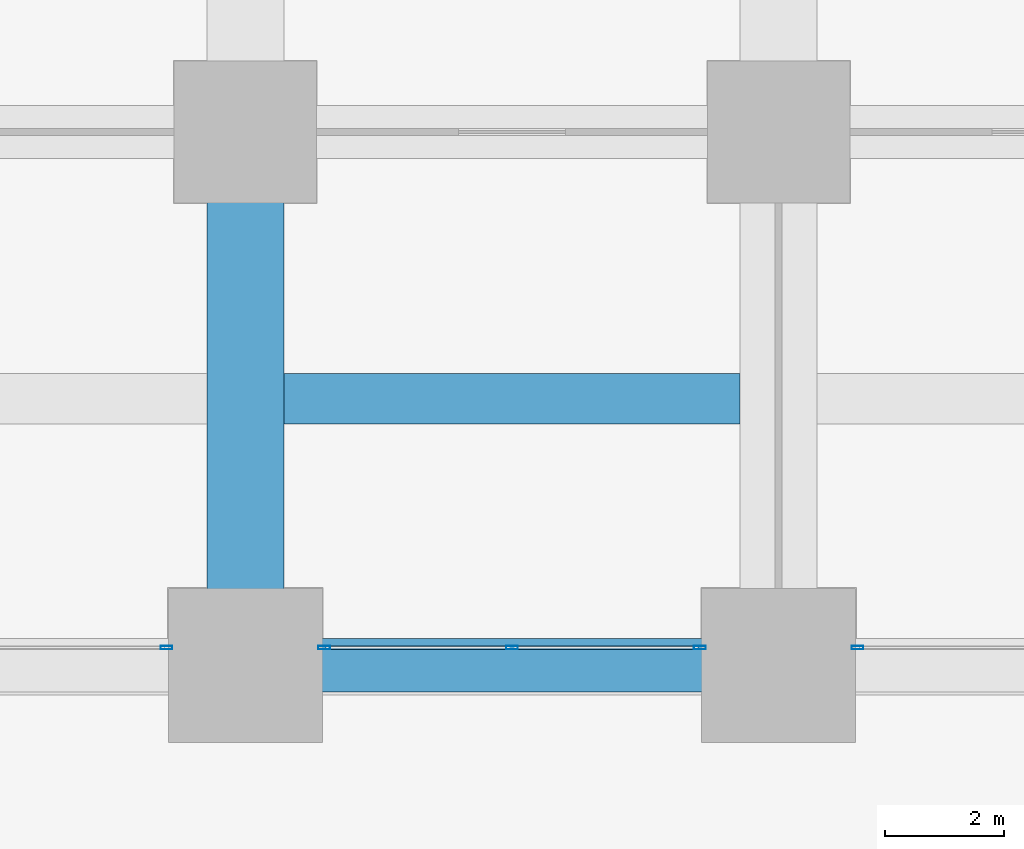
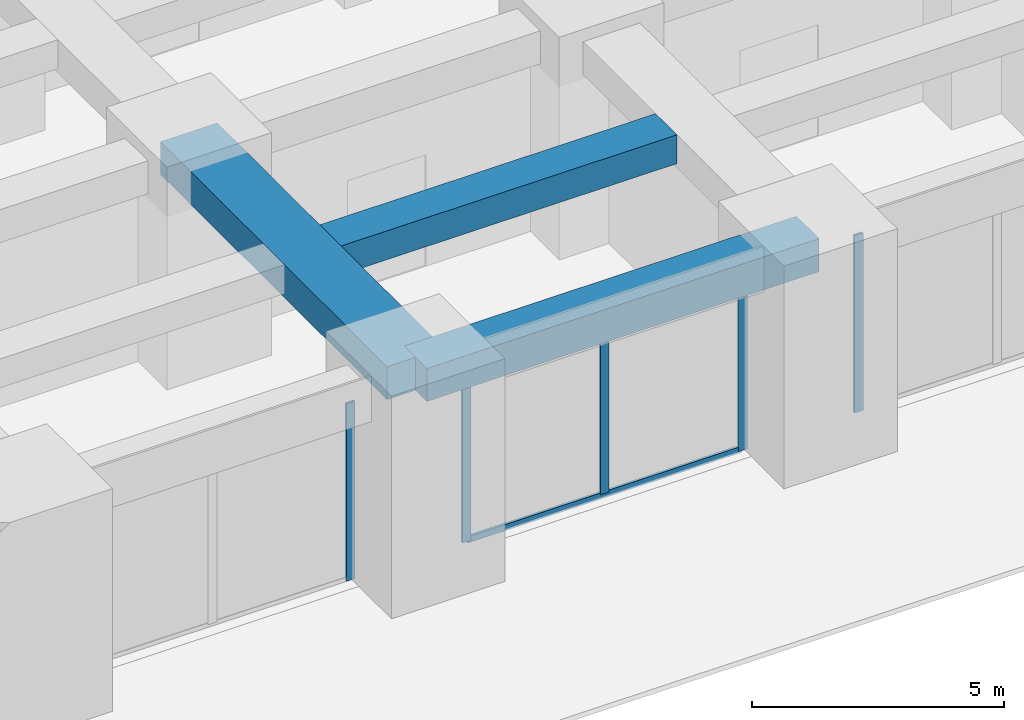
# One storey, part 6 of 56: 6 members, 3 beams, 3 elements without a shape of their own.
"""IFC4 building model written with IfcOpenShell, lengths in metres."""

import ifcopenshell
import ifcopenshell.guid

model = None  # the IFC model being written
_history = None  # IfcOwnerHistory: only IFC2X3 demands one
_inside = {}  # id of a spatial element -> (the spatial element, [elements in it])
_under = {}  # id of a project, library or spatial element -> (it, [spatial elements below it])
_declared = {}  # id of a project -> (the project, [libraries it declares])
_typed = {}  # id of a type object -> (the type object, [elements of that type])
_made_of = {}  # id of a material, layer set ... -> (it, [elements and type objects made of it])


def new_model(schema):
    """Start an empty IFC model of exactly this schema.

    Asked for "IFC4X3", IfcOpenShell would pick the latest addendum, in which some entities
    have other attributes; the version numbers below select the first issue.
    IFC2X3 requires an IfcOwnerHistory on every rooted entity: one is made here for all.
    """
    global model, _history
    if schema == "IFC4X3":
        model = ifcopenshell.file(schema_version=(4, 3, 0, 0))
    else:
        model = ifcopenshell.file(schema=schema)
    _inside.clear()
    _under.clear()
    _declared.clear()
    _typed.clear()
    _made_of.clear()
    _history = None
    if model.schema == "IFC2X3":
        org = make("IfcOrganization", Name="unknown")
        user = make(
            "IfcPersonAndOrganization",
            ThePerson=make("IfcPerson", FamilyName="unknown"),
            TheOrganization=org,
        )
        app = make(
            "IfcApplication",
            ApplicationDeveloper=org,
            Version="unknown",
            ApplicationFullName="unknown",
            ApplicationIdentifier="unknown",
        )
        _history = make(
            "IfcOwnerHistory",
            OwningUser=user,
            OwningApplication=app,
            ChangeAction="ADDED",
            CreationDate=0,
        )
    return model


def make(cls, **values):
    """One entity of the class cls with the attributes given. An attribute that is None is left unset."""
    return model.create_entity(
        cls, **{name: value for name, value in values.items() if value is not None}
    )


def rooted(cls, **values):
    """An entity with a GlobalId (a new one), such as an element, a storey or a relation."""
    return make(cls, GlobalId=ifcopenshell.guid.new(), OwnerHistory=_history, **values)


def si_unit(unit_type, name, prefix=None):
    """IfcSIUnit, for example si_unit("LENGTHUNIT", "METRE", prefix="MILLI")."""
    return make("IfcSIUnit", UnitType=unit_type, Prefix=prefix, Name=name)


def assignment(units):
    """IfcUnitAssignment: the units of a project."""
    return None if units is None else make("IfcUnitAssignment", Units=units)


def point(xyz):
    """IfcCartesianPoint."""
    return None if xyz is None else make("IfcCartesianPoint", Coordinates=xyz)


def direction(xyz):
    """IfcDirection."""
    return None if xyz is None else make("IfcDirection", DirectionRatios=xyz)


def frame(location, z_axis=None, x_axis=None):
    """IfcAxis2Placement3D, a coordinate frame: its origin and axes. An axis left out is left unset."""
    return make(
        "IfcAxis2Placement3D",
        Location=point(location),
        Axis=direction(z_axis),
        RefDirection=direction(x_axis),
    )


def frame_2d(location, x_axis=None):
    """IfcAxis2Placement2D, a coordinate frame in the plane: its origin and x axis."""
    return make(
        "IfcAxis2Placement2D", Location=point(location), RefDirection=direction(x_axis)
    )


def origin():
    """The frame at (0, 0, 0) with its axes left unset."""
    return frame((0.0, 0.0, 0.0))


def origin_2d():
    """The frame at (0, 0) in the plane with its x axis left unset."""
    return frame_2d((0.0, 0.0))


def place(relative_to, where):
    """IfcLocalPlacement: puts the frame where relative to a parent placement (None: the world)."""
    return make(
        "IfcLocalPlacement", PlacementRelTo=relative_to, RelativePlacement=where
    )


def context(
    kind, dimensions, precision=None, world=None, true_north=None, identifier=None
):
    """IfcGeometricRepresentationContext, for example the 3D "Model" context."""
    return make(
        "IfcGeometricRepresentationContext",
        ContextIdentifier=identifier,
        ContextType=kind,
        CoordinateSpaceDimension=dimensions,
        Precision=precision,
        WorldCoordinateSystem=world,
        TrueNorth=true_north,
    )


def subcontext(parent, identifier, kind, view, scale=None):
    """IfcGeometricRepresentationSubContext, for example "Body" below "Model"."""
    return make(
        "IfcGeometricRepresentationSubContext",
        ContextIdentifier=identifier,
        ContextType=kind,
        ParentContext=parent,
        TargetScale=scale,
        TargetView=view,
    )


def project(units=None, contexts=None):
    """IfcProject with its units and contexts."""
    return rooted(
        "IfcProject",
        Name="project",
        RepresentationContexts=contexts,
        UnitsInContext=assignment(units),
    )


def spatial(cls, under=None, at=None, **own):
    """A site, building, storey or space (cls), placed at a placement, below another one or the project."""
    s = rooted(cls, ObjectPlacement=at, **own)
    if under is not None:
        _under.setdefault(under.id(), (under, []))[1].append(s)
    return s


def profile(cls, at=None, kind="AREA", **sizes):
    """A parametric profile (cls). Its sizes go by their IFC names, for example OverallWidth=200.0."""
    return make(cls, ProfileType=kind, Position=at, **sizes)


def rectangle(**sizes):
    """IfcRectangleProfileDef."""
    return profile("IfcRectangleProfileDef", **sizes)


def hollow_rectangle(**sizes):
    """IfcRectangleHollowProfileDef."""
    return profile("IfcRectangleHollowProfileDef", **sizes)


def extrude(swept, where, along, depth):
    """IfcExtrudedAreaSolid: the profile swept, set in the frame where, extruded along a direction by depth."""
    return make(
        "IfcExtrudedAreaSolid",
        SweptArea=swept,
        Position=where,
        ExtrudedDirection=direction(along),
        Depth=depth,
    )


def shape(context_of_items, identifier, shape_type, items):
    """IfcShapeRepresentation: the items that make up one representation, for example the "Body"."""
    return make(
        "IfcShapeRepresentation",
        ContextOfItems=context_of_items,
        RepresentationIdentifier=identifier,
        RepresentationType=shape_type,
        Items=items,
    )


def material(Name=None, Category=None):
    """IfcMaterial."""
    return make("IfcMaterial", Name=Name, Category=Category)


def material_profile(
    of_material, cross_section, Name=None, Category=None, Priority=None
):
    """IfcMaterialProfile: a cross section and its material."""
    return make(
        "IfcMaterialProfile",
        Name=Name,
        Material=of_material,
        Profile=cross_section,
        Priority=Priority,
        Category=Category,
    )


def profile_set(profiles, Name=None, composite=None):
    """IfcMaterialProfileSet."""
    return make(
        "IfcMaterialProfileSet",
        Name=Name,
        MaterialProfiles=profiles,
        CompositeProfile=composite,
    )


def made_of(thing, what):
    """Note that an element or type object is made of a material, layer set ...; save() writes the relation."""
    if what is not None:
        _made_of.setdefault(what.id(), (what, []))[1].append(thing)
    return thing


def type_object(cls, material=None, **own):
    """A type object (cls), such as IfcWallType, which elements share."""
    return made_of(rooted(cls, **own), material)


def element(
    cls,
    number,
    at=None,
    inside=None,
    cuts=None,
    type_object=None,
    material=None,
    context=None,
    identifier="Body",
    shape_type=None,
    held_by="IfcProductDefinitionShape",
    body=None,
    shapes=None,
    **own,
):
    """One element of the class cls, such as IfcWall. Its Tag is "e" and its number.

    at: its placement. inside: the storey or other place that contains it. cuts: it is an
    opening in that element (IfcRelVoidsElement). A single representation is given by context,
    identifier, shape_type and body (its items); several are given by shapes. held_by: the class
    of the entity that holds the representations. save() writes the other relations.
    """
    e = rooted(cls, Tag="e%d" % number, ObjectPlacement=at, **own)
    if body is not None:
        shapes = [shape(context, identifier, shape_type, body)]
    if shapes is not None:
        e.Representation = make(held_by, Representations=shapes)
    if inside is not None:
        _inside.setdefault(inside.id(), (inside, []))[1].append(e)
    if cuts is not None:
        rooted(
            "IfcRelVoidsElement", RelatingBuildingElement=cuts, RelatedOpeningElement=e
        )
    if type_object is not None:
        _typed.setdefault(type_object.id(), (type_object, []))[1].append(e)
    return made_of(e, material)


def aggregate(whole, parts):
    """IfcRelAggregates: a whole, such as a stair, and the parts it consists of."""
    return rooted("IfcRelAggregates", RelatingObject=whole, RelatedObjects=parts)


def save(model, path):
    """Write the relations noted so far, then the file.

    IfcRelAggregates (storeys below a building ...), IfcRelContainedInSpatialStructure (elements
    in a storey), IfcRelDefinesByType, IfcRelAssociatesMaterial and IfcRelDeclares: one each for
    every whole, place, type object, material and project.
    """
    for whole, parts in _under.values():
        aggregate(whole, parts)
    for where, things in _inside.values():
        rooted(
            "IfcRelContainedInSpatialStructure",
            RelatedElements=things,
            RelatingStructure=where,
        )
    for kind, things in _typed.values():
        rooted("IfcRelDefinesByType", RelatedObjects=things, RelatingType=kind)
    for what, things in _made_of.values():
        rooted("IfcRelAssociatesMaterial", RelatedObjects=things, RelatingMaterial=what)
    for by, libraries in _declared.values():
        rooted("IfcRelDeclares", RelatingContext=by, RelatedDefinitions=libraries)
    model.write(path)


model = new_model("IFC4")

# Units and contexts
model_context = context("Model", 3, precision=1e-05, world=origin(), true_north=direction((0.0, 1.0)))
body_context = subcontext(model_context, "Body", "Model", "MODEL_VIEW")
ifc_project = project(units=[si_unit("LENGTHUNIT", "METRE"), si_unit("AREAUNIT", "SQUARE_METRE"), si_unit("VOLUMEUNIT", "CUBIC_METRE"), si_unit("PLANEANGLEUNIT", "RADIAN"), si_unit("MASSUNIT", "GRAM", prefix="KILO")], contexts=[model_context])

# Site, building, storey
site_placement = place(None, origin())
site = spatial("IfcSite", under=ifc_project, at=site_placement, CompositionType="ELEMENT")
building_placement = place(site_placement, origin())
building = spatial("IfcBuilding", under=site, at=building_placement, Name="Zorevar Civic Tower", CompositionType="ELEMENT")
storey_placement = place(building_placement, origin())
storey = spatial("IfcBuildingStorey", under=building, at=storey_placement, Name="L00", CompositionType="ELEMENT", Elevation=0.0)

# Beams
ifc_material_1 = material(Name="Concrete C50/60", Category="concrete")
ifc_material_profile_1 = material_profile(ifc_material_1, rectangle(XDim=1.300048828125, YDim=0.800048828125, at=origin_2d()), Name="RC 1300x800")
ifc_profile_set_1 = profile_set([ifc_material_profile_1], Name="Concrete C50/60")
beam_type_1 = type_object("IfcBeamType", Name="Beam RC 1300x800", PredefinedType="BEAM", material=ifc_profile_set_1)
beam_1_placement = place(storey_placement, frame((9.0, 0.0, 4.699951171875), z_axis=(0.0, 1.0, 0.0), x_axis=(-1.0, 0.0, 0.0)))
element("IfcBeam", 1, at=beam_1_placement, inside=storey, type_object=beam_type_1, Name="Girder L01", PredefinedType="BEAM", context=body_context, shape_type="SweptSolid", body=[
    extrude(rectangle(XDim=1.300048828125, YDim=0.800048828125, at=origin_2d()), origin(), (0.0, 0.0, 1.0), 9.0),
])
ifc_material_2 = material(Name="Concrete C50/60", Category="concrete")
ifc_material_profile_2 = material_profile(ifc_material_2, rectangle(XDim=0.85009765625, YDim=0.699951171875, at=origin_2d()), Name="RC 850x700")
ifc_profile_set_2 = profile_set([ifc_material_profile_2], Name="Concrete C50/60")
beam_type_2 = type_object("IfcBeamType", Name="Beam RC 850x700", PredefinedType="BEAM", material=ifc_profile_set_2)
beam_2_placement = place(storey_placement, frame((9.64990234375, 4.5, 4.75), z_axis=(1.0, 0.0, 0.0), x_axis=(0.0, 1.0, 0.0)))
element("IfcBeam", 2, at=beam_2_placement, inside=storey, type_object=beam_type_2, Name="Secondary beam L01", PredefinedType="BEAM", context=body_context, shape_type="SweptSolid", body=[
    extrude(rectangle(XDim=0.85009765625, YDim=0.699951171875, at=origin_2d()), origin(), (0.0, 0.0, 1.0), 7.7001953125),
])

# Curtain wall, member
ifc_material_3 = material(Name="Dark grey solar-control glass in black aluminium frame", Category="aluminium")
curtain_wall_type = type_object("IfcCurtainWallType", Name="Curtain wall CW1 podium", PredefinedType="NOTDEFINED", material=ifc_material_3)
curtain_wall_1_placement = place(storey_placement, origin())
curtain_wall_1 = element("IfcCurtainWall", 3, at=curtain_wall_1_placement, inside=storey, type_object=curtain_wall_type, Name="CW1 L00", PredefinedType="NOTDEFINED")
ifc_material_4 = material(Name="Aluminium, black anodised", Category="aluminium")
ifc_material_profile_3 = material_profile(ifc_material_4, hollow_rectangle(XDim=0.06005859375, YDim=0.199951171875, WallThickness=0.00390625, at=origin_2d()), Name="AL 200x60x4")
ifc_profile_set_3 = profile_set([ifc_material_profile_3], Name="Aluminium, black anodised")
member_type_1 = type_object("IfcMemberType", Name="CW1 mullion AL 200x60x4", PredefinedType="MULLION", material=ifc_profile_set_3)
member_1_placement = place(storey_placement, frame((7.669921875, 0.300048828125, 0.0), z_axis=(0.0, 0.0, 1.0), x_axis=(0.0, 1.0, 0.0)))
member_1 = element("IfcMember", 4, at=member_1_placement, type_object=member_type_1, Name="CW1 mullion 3", PredefinedType="MULLION", context=body_context, shape_type="SweptSolid", body=[
    extrude(hollow_rectangle(XDim=0.06005859375, YDim=0.199951171875, WallThickness=0.00390625, at=origin_2d()), origin(), (0.0, 0.0, 1.0), 4.300048828125),
])
aggregate(curtain_wall_1, [member_1])

# Curtain wall, members
curtain_wall_2_placement = place(storey_placement, origin())
curtain_wall_2 = element("IfcCurtainWall", 5, at=curtain_wall_2_placement, inside=storey, type_object=curtain_wall_type, Name="CW1 L00", PredefinedType="NOTDEFINED")
member_2_placement = place(storey_placement, frame((10.330078125, 0.300048828125, 0.0), z_axis=(0.0, 0.0, 1.0), x_axis=(0.0, 1.0, 0.0)))
member_2 = element("IfcMember", 6, at=member_2_placement, type_object=member_type_1, Name="CW1 mullion 1", PredefinedType="MULLION", context=body_context, shape_type="SweptSolid", body=[
    extrude(hollow_rectangle(XDim=0.06005859375, YDim=0.199951171875, WallThickness=0.00390625, at=origin_2d()), origin(), (0.0, 0.0, 1.0), 4.300048828125),
])
member_3_placement = place(storey_placement, frame((13.5, 0.300048828125, 0.06005859375), z_axis=(0.0, 0.0, 1.0), x_axis=(0.0, 1.0, 0.0)))
member_3 = element("IfcMember", 7, at=member_3_placement, type_object=member_type_1, Name="CW1 mullion 2", PredefinedType="MULLION", context=body_context, shape_type="SweptSolid", body=[
    extrude(hollow_rectangle(XDim=0.06005859375, YDim=0.199951171875, WallThickness=0.00390625, at=origin_2d()), origin(), (0.0, 0.0, 1.0), 4.239990234375),
])
member_4_placement = place(storey_placement, frame((16.669921875, 0.300048828125, 0.0), z_axis=(0.0, 0.0, 1.0), x_axis=(0.0, 1.0, 0.0)))
member_4 = element("IfcMember", 8, at=member_4_placement, type_object=member_type_1, Name="CW1 mullion 3", PredefinedType="MULLION", context=body_context, shape_type="SweptSolid", body=[
    extrude(hollow_rectangle(XDim=0.06005859375, YDim=0.199951171875, WallThickness=0.00390625, at=origin_2d()), origin(), (0.0, 0.0, 1.0), 4.300048828125),
])

# Curtain wall, member
curtain_wall_3_placement = place(storey_placement, origin())
curtain_wall_3 = element("IfcCurtainWall", 9, at=curtain_wall_3_placement, inside=storey, type_object=curtain_wall_type, Name="CW1 L00", PredefinedType="NOTDEFINED")
member_5_placement = place(storey_placement, frame((19.330078125, 0.300048828125, 0.0), z_axis=(0.0, 0.0, 1.0), x_axis=(0.0, 1.0, 0.0)))
member_5 = element("IfcMember", 10, at=member_5_placement, type_object=member_type_1, Name="CW1 mullion 1", PredefinedType="MULLION", context=body_context, shape_type="SweptSolid", body=[
    extrude(hollow_rectangle(XDim=0.06005859375, YDim=0.199951171875, WallThickness=0.00390625, at=origin_2d()), origin(), (0.0, 0.0, 1.0), 4.300048828125),
])
aggregate(curtain_wall_3, [member_5])

# Member
ifc_material_5 = material(Name="Aluminium, black anodised", Category="aluminium")
ifc_material_profile_4 = material_profile(ifc_material_5, hollow_rectangle(XDim=0.06005859375, YDim=0.14990234375, WallThickness=0.00390625, at=origin_2d()), Name="AL 150x60x4")
ifc_profile_set_4 = profile_set([ifc_material_profile_4], Name="Aluminium, black anodised")
member_type_2 = type_object("IfcMemberType", Name="CW1 transom AL 150x60x4", PredefinedType="USERDEFINED", material=ifc_profile_set_4)
member_6_placement = place(storey_placement, frame((10.360107421875, 0.300048828125, 0.030029296875), z_axis=(1.0, 0.0, 0.0), x_axis=(0.0, 1.0, 0.0)))
member_6 = element("IfcMember", 11, at=member_6_placement, type_object=member_type_2, Name="CW1 sill transom", ObjectType="TRANSOM", PredefinedType="USERDEFINED", context=body_context, shape_type="SweptSolid", body=[
    extrude(hollow_rectangle(XDim=0.06005859375, YDim=0.14990234375, WallThickness=0.00390625, at=origin_2d()), origin(), (0.0, 0.0, 1.0), 6.27978515625),
])

aggregate(curtain_wall_2, [member_2, member_3, member_4, member_6])

# Beam
ifc_material_6 = material(Name="Concrete C50/60", Category="concrete")
ifc_material_profile_5 = material_profile(ifc_material_6, rectangle(XDim=0.89990234375, YDim=0.800048828125, at=origin_2d()), Name="RC 900x800")
ifc_profile_set_5 = profile_set([ifc_material_profile_5], Name="Concrete C50/60")
beam_type_3 = type_object("IfcBeamType", Name="Edge beam RC 900x800", PredefinedType="SPANDREL", material=ifc_profile_set_5)
beam_3_placement = place(storey_placement, frame((9.0, 0.0, 4.699951171875), z_axis=(1.0, 0.0, 0.0), x_axis=(0.0, 1.0, 0.0)))
element("IfcBeam", 12, at=beam_3_placement, inside=storey, type_object=beam_type_3, Name="Edge beam L01", PredefinedType="SPANDREL", context=body_context, shape_type="SweptSolid", body=[
    extrude(rectangle(XDim=0.89990234375, YDim=0.800048828125, at=origin_2d()), origin(), (0.0, 0.0, 1.0), 9.0),
])

save(model, "model.ifc")
